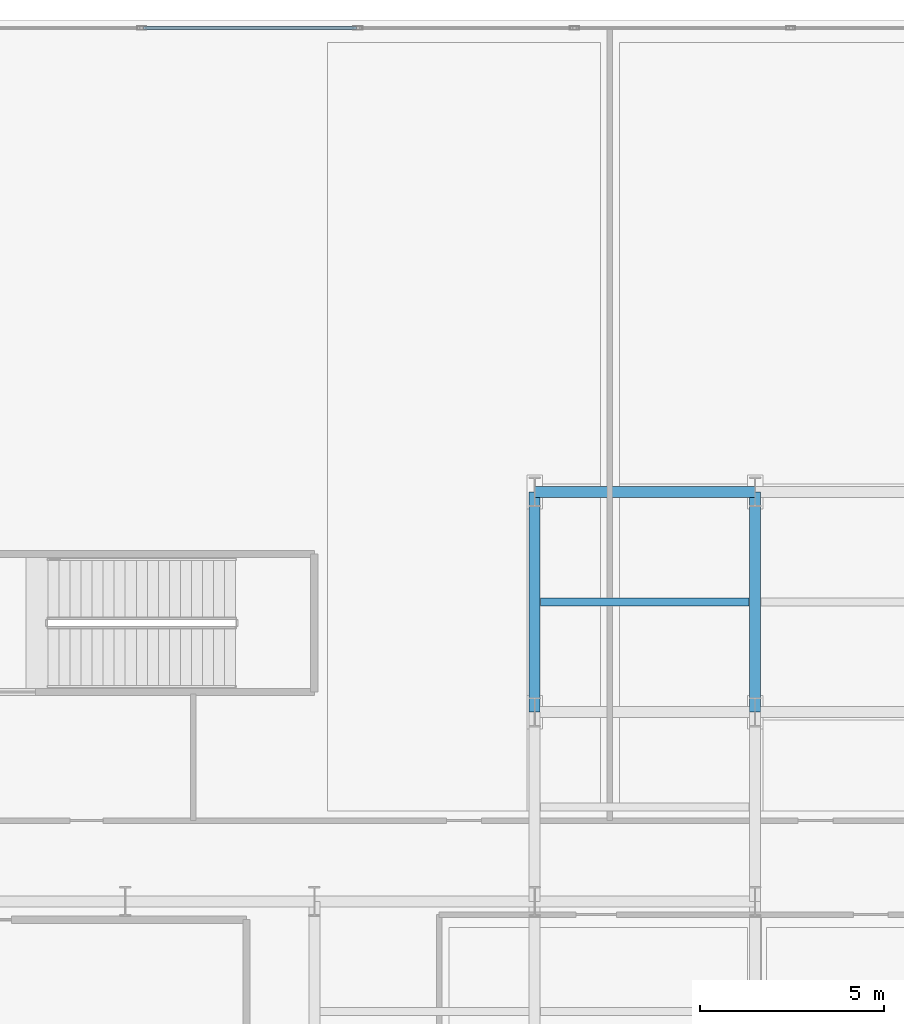
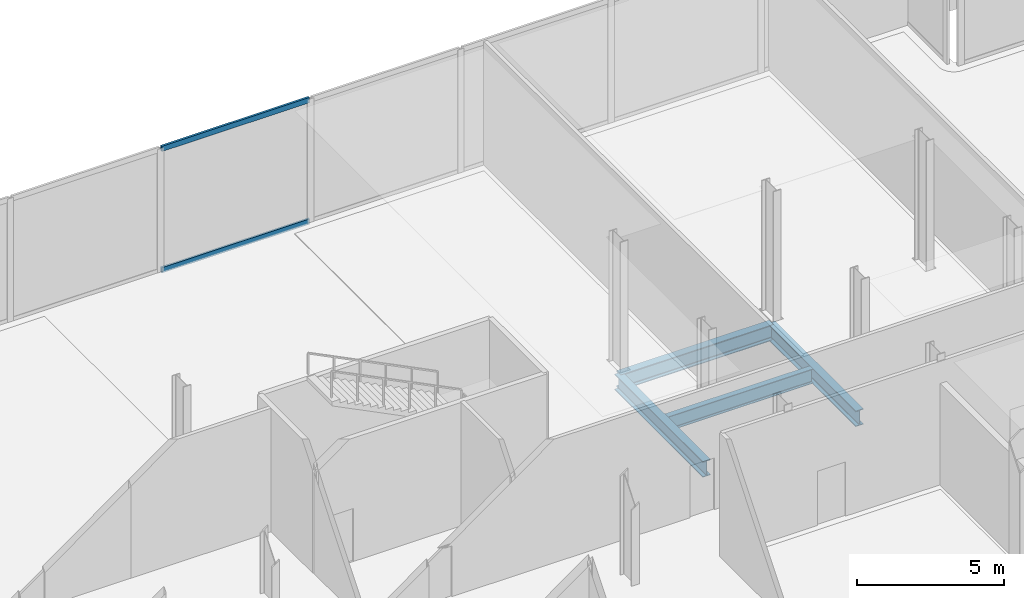
# One storey, part 16 of 27: 4 beams, 2 members, 1 element without a shape of its own.
"""IFC4 building model written with IfcOpenShell, lengths in metres."""

from ifc_helpers import new_model, si_unit, direction, frame, origin, origin_2d, place, context, subcontext, project, spatial, hollow_rectangle, i_section, extrude, material, layer, layer_set, material_profile, profile_set, type_object, element, aggregate, save


model = new_model("IFC4")

# Units and contexts
model_context = context("Model", 3, precision=1e-05, world=origin(), true_north=direction((0.0, 1.0)))
body_context = subcontext(model_context, "Body", "Model", "MODEL_VIEW")
ifc_project = project(units=[si_unit("LENGTHUNIT", "METRE"), si_unit("AREAUNIT", "SQUARE_METRE"), si_unit("VOLUMEUNIT", "CUBIC_METRE"), si_unit("PLANEANGLEUNIT", "RADIAN"), si_unit("MASSUNIT", "GRAM", prefix="KILO"), si_unit("THERMODYNAMICTEMPERATUREUNIT", "KELVIN"), si_unit("POWERUNIT", "WATT")], contexts=[model_context])

# Site, building, storey
site_placement = place(None, origin())
site = spatial("IfcSite", under=ifc_project, at=site_placement, CompositionType="ELEMENT")
building_placement = place(site_placement, origin())
building = spatial("IfcBuilding", under=site, at=building_placement, Name="Svarakhadi Broadcast Tower", CompositionType="ELEMENT")
storey_placement = place(building_placement, frame((0.0, 0.0, 5.699951171875)))
storey = spatial("IfcBuildingStorey", under=building, at=storey_placement, Name="L01", CompositionType="ELEMENT", Elevation=5.699951171875)

# Beam
ifc_material_1 = material(Name="Steel S355J2 (IS 2062 E350C)", Category="steel")
ifc_material_profile_1 = material_profile(ifc_material_1, i_section(OverallWidth=0.219970703125, OverallDepth=0.60009765625, WebThickness=0.011962890625, FlangeThickness=0.01904296875, FilletRadius=0.02392578125, at=origin_2d()), Name="NPB 600x220x122")
ifc_profile_set_1 = profile_set([ifc_material_profile_1], Name="Steel S355J2 (IS 2062 E350C)")
beam_type_1 = type_object("IfcBeamType", Name="Beam_NPB600", PredefinedType="BEAM", material=ifc_profile_set_1)
beam_placement = place(storey_placement, frame((41.31005859375, 32.14990234375, -0.599853515625), z_axis=(1.0, 0.0, 0.0), x_axis=(0.0, 1.0, 0.0)))
element("IfcBeam", 1, at=beam_placement, inside=storey, type_object=beam_type_1, Name="L01 Secondary Composite Beam SB026", PredefinedType="BEAM", context=body_context, shape_type="SweptSolid", body=[
    extrude(i_section(OverallWidth=0.219970703125, OverallDepth=0.60009765625, WebThickness=0.011962890625, FlangeThickness=0.01904296875, FilletRadius=0.02392578125, at=origin_2d()), origin(), (0.0, 0.0, 1.0), 5.679931640625),
])

# Curtain wall, members
ifc_material_2 = material(Name="Anodised Bronze Aluminium AA 6063-T6", Category="aluminium")
ifc_layer = layer(ifc_material_2, 0.25)
ifc_layer_set = layer_set([ifc_layer], Name="Anodised Bronze Aluminium AA 6063-T6")
curtain_wall_type = type_object("IfcCurtainWallType", Name="CW_Sys_01", PredefinedType="NOTDEFINED", material=ifc_layer_set)
curtain_wall_placement = place(storey_placement, origin())
curtain_wall = element("IfcCurtainWall", 2, at=curtain_wall_placement, inside=storey, type_object=curtain_wall_type, Name="L01 Unitised Facade Curtain Wall 05 Bay 2", PredefinedType="NOTDEFINED")
ifc_material_profile_2 = material_profile(ifc_material_2, hollow_rectangle(XDim=0.0849609375, YDim=0.219970703125, WallThickness=0.0048828125, at=origin_2d()), Name="ALU TRANSOM 220x85x5")
ifc_profile_set_2 = profile_set([ifc_material_profile_2], Name="Anodised Bronze Aluminium AA 6063-T6")
member_type = type_object("IfcMemberType", Name="CW_Sys_01_Trn", PredefinedType="USERDEFINED", material=ifc_profile_set_2)
member_1_placement = place(storey_placement, frame((30.4951171875, 47.780029296875, 0.04248046875), z_axis=(1.0, 0.0, 0.0), x_axis=(0.0, 1.0, 0.0)))
member_1 = element("IfcMember", 3, at=member_1_placement, type_object=member_type, Name="CW-01 transom 4.1", ObjectType="TRANSOM", PredefinedType="USERDEFINED", context=body_context, shape_type="SweptSolid", body=[
    extrude(hollow_rectangle(XDim=0.0849609375, YDim=0.219970703125, WallThickness=0.0048828125, at=origin_2d()), origin(), (0.0, 0.0, 1.0), 5.79736328125),
])
member_2_placement = place(storey_placement, frame((30.4951171875, 47.780029296875, 5.08251953125), z_axis=(1.0, 0.0, 0.0), x_axis=(0.0, 1.0, 0.0)))
member_2 = element("IfcMember", 4, at=member_2_placement, type_object=member_type, Name="CW-01 transom 4.2", ObjectType="TRANSOM", PredefinedType="USERDEFINED", context=body_context, shape_type="SweptSolid", body=[
    extrude(hollow_rectangle(XDim=0.0849609375, YDim=0.219970703125, WallThickness=0.0048828125, at=origin_2d()), origin(), (0.0, 0.0, 1.0), 5.79736328125),
])
aggregate(curtain_wall, [member_1, member_2])

# Beams
ifc_material_profile_3 = material_profile(ifc_material_1, i_section(OverallWidth=0.300048828125, OverallDepth=0.64990234375, WebThickness=0.01611328125, FlangeThickness=0.031005859375, FilletRadius=0.027099609375, at=origin_2d()), Name="WPB 650x300x225")
ifc_profile_set_3 = profile_set([ifc_material_profile_3], Name="Steel S355J2 (IS 2062 E350C)")
beam_type_2 = type_object("IfcBeamType", Name="Girder_WPB650", PredefinedType="USERDEFINED", material=ifc_profile_set_3)
for number, where, z_axis, x_axis, name in (
    (5, (41.14990234375, 35.14990234375, -0.625), (1.0, 0.0, 0.0), (0.0, 1.0, 0.0), "L01 Primary E-W Girder G038"),
    (6, (41.14990234375, 29.14990234375, -0.625), (0.0, 1.0, 0.0), (-1.0, 0.0, 0.0), "L01 Primary N-S Girder G078"),
    (7, (47.14990234375, 29.14990234375, -0.625), (0.0, 1.0, 0.0), (-1.0, 0.0, 0.0), "L01 Primary N-S Girder G083"),
):
    element("IfcBeam", number, at=place(storey_placement, frame(where, z_axis=z_axis, x_axis=x_axis)), inside=storey, type_object=beam_type_2, Name=name, ObjectType="GIRDER", PredefinedType="USERDEFINED", context=body_context, shape_type="SweptSolid", body=[
        extrude(i_section(OverallWidth=0.300048828125, OverallDepth=0.64990234375, WebThickness=0.01611328125, FlangeThickness=0.031005859375, FilletRadius=0.027099609375, at=origin_2d()), origin(), (0.0, 0.0, 1.0), 6.0),
    ])

save(model, "model.ifc")
